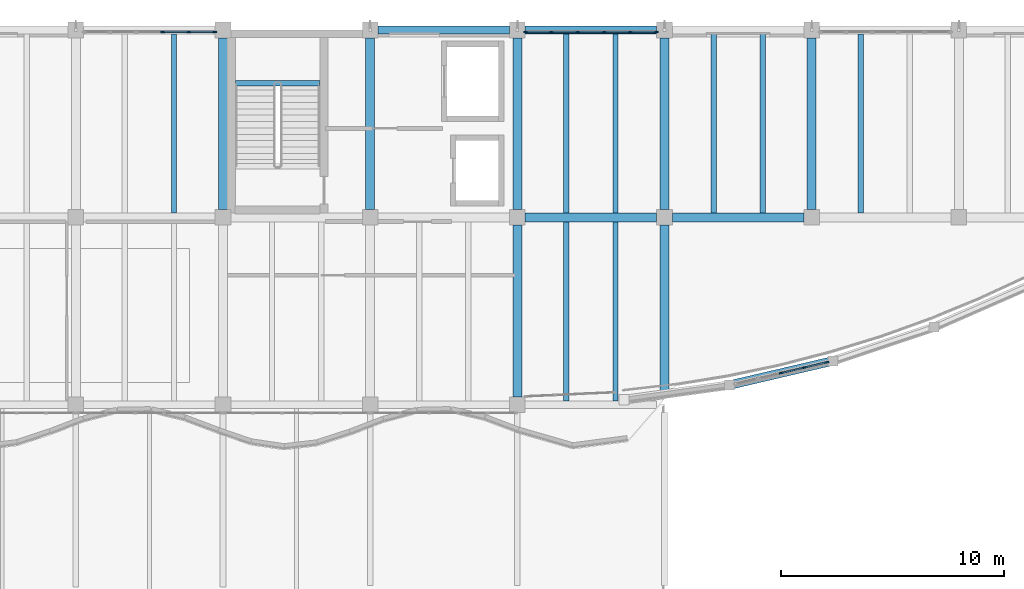
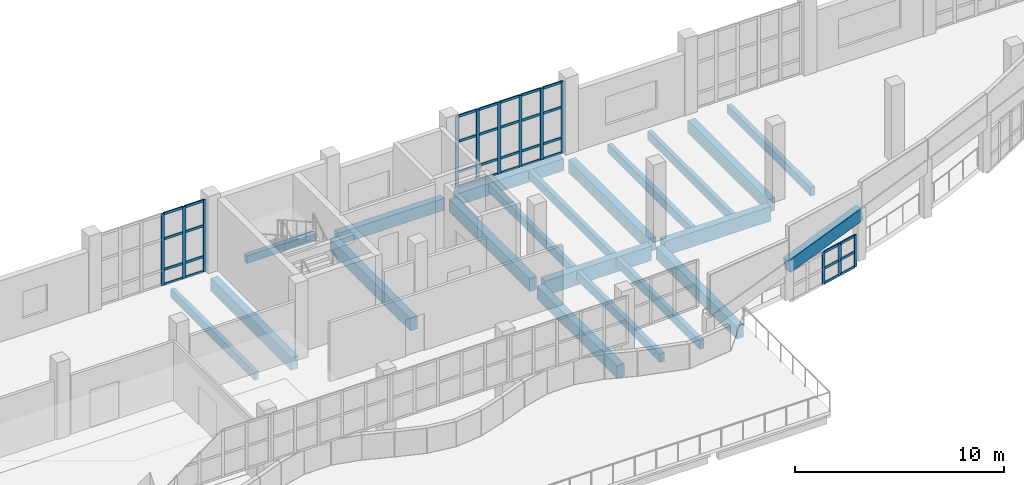
# One storey, part 18 of 83: 46 members, 21 beams, 3 elements without a shape of their own.
"""IFC4 building model written with IfcOpenShell, lengths in metres."""

from ifc_helpers import new_model, si_unit, direction, frame, origin, origin_2d, place, context, subcontext, project, spatial, rectangle, extrude, material, material_profile, profile_set, type_object, element, aggregate, save


model = new_model("IFC4")

# Units and contexts
model_context = context("Model", 3, precision=1e-05, world=origin(), true_north=direction((0.0, 1.0)))
body_context = subcontext(model_context, "Body", "Model", "MODEL_VIEW")
ifc_project = project(units=[si_unit("LENGTHUNIT", "METRE"), si_unit("AREAUNIT", "SQUARE_METRE"), si_unit("VOLUMEUNIT", "CUBIC_METRE"), si_unit("PLANEANGLEUNIT", "RADIAN"), si_unit("MASSUNIT", "GRAM", prefix="KILO")], contexts=[model_context])

# Site, building, storey
site_placement = place(None, origin())
site = spatial("IfcSite", under=ifc_project, at=site_placement, CompositionType="ELEMENT")
building_placement = place(site_placement, origin())
building = spatial("IfcBuilding", under=site, at=building_placement, Name="Qaldarim Faculty of Natural and Applied Sciences", CompositionType="ELEMENT")
storey_placement = place(building_placement, frame((0.0, 0.0, 5.39990234375)))
storey = spatial("IfcBuildingStorey", under=building, at=storey_placement, Name="L01", CompositionType="ELEMENT", Elevation=5.39990234375)

# Beams
ifc_material_1 = material(Name="Concrete C40/50", Category="concrete")
ifc_material_profile_1 = material_profile(ifc_material_1, rectangle(XDim=0.239990234375, YDim=0.5, at=origin_2d()), Name="RC-J240x500")
ifc_profile_set_1 = profile_set([ifc_material_profile_1], Name="Concrete C40/50")
beam_type_1 = type_object("IfcBeamType", Name="HeavyJoist-RC240x500", PredefinedType="JOIST", material=ifc_profile_set_1)
beam_1_placement = place(storey_placement, frame((96.800048828125, 109.39990234375, -0.5498046875), z_axis=(0.0, 1.0, 0.0), x_axis=(-1.0, 0.0, 0.0)))
element("IfcBeam", 1, at=beam_1_placement, inside=storey, type_object=beam_type_1, Name="Laboratory joist L00 bay X15Y14-2", PredefinedType="JOIST", context=body_context, shape_type="SweptSolid", body=[
    extrude(rectangle(XDim=0.239990234375, YDim=0.5, at=origin_2d()), origin(), (0.0, 0.0, 1.0), 8.025146484375),
])
for number, where, z_axis, x_axis, name in (
    (2, (114.39990234375, 100.97509765625, -0.5498046875), (0.0, 1.0, 0.0), (-1.0, 0.0, 0.0), "Laboratory joist L00 bay X18Y13-1"),
    (3, (116.60009765625, 100.97509765625, -0.5498046875), (0.0, 1.0, 0.0), (-1.0, 0.0, 0.0), "Laboratory joist L00 bay X18Y13-2"),
):
    element("IfcBeam", number, at=place(storey_placement, frame(where, z_axis=z_axis, x_axis=x_axis)), inside=storey, type_object=beam_type_1, Name=name, PredefinedType="JOIST", context=body_context, shape_type="SweptSolid", body=[
        extrude(rectangle(XDim=0.239990234375, YDim=0.5, at=origin_2d()), origin(), (0.0, 0.0, 1.0), 8.02490234375),
    ])
for number, where, z_axis, x_axis, name in (
    (4, (114.39990234375, 109.39990234375, -0.5498046875), (0.0, 1.0, 0.0), (-1.0, 0.0, 0.0), "Laboratory joist L00 bay X18Y14-1"),
    (5, (116.60009765625, 109.39990234375, -0.5498046875), (0.0, 1.0, 0.0), (-1.0, 0.0, 0.0), "Laboratory joist L00 bay X18Y14-2"),
    (6, (121.0, 109.39990234375, -0.5498046875), (0.0, 1.0, 0.0), (-1.0, 0.0, 0.0), "Laboratory joist L00 bay X19Y14-1"),
    (7, (123.199951171875, 109.39990234375, -0.5498046875), (0.0, 1.0, 0.0), (-1.0, 0.0, 0.0), "Laboratory joist L00 bay X19Y14-2"),
    (8, (127.60009765625, 109.39990234375, -0.5498046875), (0.0, 1.0, 0.0), (-1.0, 0.0, 0.0), "Laboratory joist L00 bay X20Y14-1"),
):
    element("IfcBeam", number, at=place(storey_placement, frame(where, z_axis=z_axis, x_axis=x_axis)), inside=storey, type_object=beam_type_1, Name=name, PredefinedType="JOIST", context=body_context, shape_type="SweptSolid", body=[
        extrude(rectangle(XDim=0.239990234375, YDim=0.5, at=origin_2d()), origin(), (0.0, 0.0, 1.0), 8.025146484375),
    ])
ifc_material_2 = material(Name="Concrete C50/60", Category="concrete")
ifc_material_profile_2 = material_profile(ifc_material_2, rectangle(XDim=0.39990234375, YDim=0.75, at=origin_2d()), Name="RC-B400x750")
ifc_profile_set_2 = profile_set([ifc_material_profile_2], Name="Concrete C50/60")
beam_type_2 = type_object("IfcBeamType", Name="LabGirder-RC400x750", PredefinedType="BEAM", material=ifc_profile_set_2)
beam_2_placement = place(storey_placement, frame((121.705078125, 101.675048828125, 1.885009765625), z_axis=(0.960643171968, 0.224907490411, 0.163037777547), x_axis=(-0.227957602563, 0.973671059154, 0.0)))
element("IfcBeam", 9, at=beam_2_placement, inside=storey, type_object=beam_type_2, Name="Arched entrance RC portal beam 04-06", PredefinedType="BEAM", context=body_context, shape_type="SweptSolid", body=[
    extrude(rectangle(XDim=0.39990234375, YDim=0.75, at=origin_2d()), origin(), (0.0, 0.0, 1.0), 4.845703125),
])
for number, where, z_axis, x_axis, name in (
    (10, (99.0, 109.550048828125, -0.6748046875), (0.0, 1.0, 0.0), (-1.0, 0.0, 0.0), "Beam RC-B400x750 L00 X16/Y14-Y15"),
    (11, (105.60009765625, 109.550048828125, -0.6748046875), (0.0, 1.0, 0.0), (-1.0, 0.0, 0.0), "Beam RC-B400x750 L00 X17/Y14-Y15"),
):
    element("IfcBeam", number, at=place(storey_placement, frame(where, z_axis=z_axis, x_axis=x_axis)), inside=storey, type_object=beam_type_2, Name=name, PredefinedType="BEAM", context=body_context, shape_type="SweptSolid", body=[
        extrude(rectangle(XDim=0.39990234375, YDim=0.75, at=origin_2d()), origin(), (0.0, 0.0, 1.0), 7.699951171875),
    ])
beam_3_placement = place(storey_placement, frame((112.199951171875, 101.14990234375, -0.6748046875), z_axis=(0.0, 1.0, 0.0), x_axis=(-1.0, 0.0, 0.0)))
element("IfcBeam", 12, at=beam_3_placement, inside=storey, type_object=beam_type_2, Name="Beam RC-B400x750 L00 X18/Y13-Y14", PredefinedType="BEAM", context=body_context, shape_type="SweptSolid", body=[
    extrude(rectangle(XDim=0.39990234375, YDim=0.75, at=origin_2d()), origin(), (0.0, 0.0, 1.0), 7.7001953125),
])
beam_4_placement = place(storey_placement, frame((112.199951171875, 109.550048828125, -0.6748046875), z_axis=(0.0, 1.0, 0.0), x_axis=(-1.0, 0.0, 0.0)))
element("IfcBeam", 13, at=beam_4_placement, inside=storey, type_object=beam_type_2, Name="Beam RC-B400x750 L00 X18/Y14-Y15", PredefinedType="BEAM", context=body_context, shape_type="SweptSolid", body=[
    extrude(rectangle(XDim=0.39990234375, YDim=0.75, at=origin_2d()), origin(), (0.0, 0.0, 1.0), 7.699951171875),
])
beam_5_placement = place(storey_placement, frame((118.800048828125, 101.14990234375, -0.6748046875), z_axis=(0.0, 1.0, 0.0), x_axis=(-1.0, 0.0, 0.0)))
element("IfcBeam", 14, at=beam_5_placement, inside=storey, type_object=beam_type_2, Name="Beam RC-B400x750 L00 X19/Y13-Y14", PredefinedType="BEAM", context=body_context, shape_type="SweptSolid", body=[
    extrude(rectangle(XDim=0.39990234375, YDim=0.75, at=origin_2d()), origin(), (0.0, 0.0, 1.0), 7.7001953125),
])
for number, where, z_axis, x_axis, name in (
    (15, (118.800048828125, 109.550048828125, -0.6748046875), (0.0, 1.0, 0.0), (-1.0, 0.0, 0.0), "Beam RC-B400x750 L00 X19/Y14-Y15"),
    (16, (125.39990234375, 109.550048828125, -0.6748046875), (0.0, 1.0, 0.0), (-1.0, 0.0, 0.0), "Beam RC-B400x750 L00 X20/Y14-Y15"),
):
    element("IfcBeam", number, at=place(storey_placement, frame(where, z_axis=z_axis, x_axis=x_axis)), inside=storey, type_object=beam_type_2, Name=name, PredefinedType="BEAM", context=body_context, shape_type="SweptSolid", body=[
        extrude(rectangle(XDim=0.39990234375, YDim=0.75, at=origin_2d()), origin(), (0.0, 0.0, 1.0), 7.699951171875),
    ])
ifc_material_profile_3 = material_profile(ifc_material_1, rectangle(XDim=0.25, YDim=0.449951171875, at=origin_2d()), Name="RC-LN250x450")
ifc_profile_set_3 = profile_set([ifc_material_profile_3], Name="Concrete C40/50")
beam_type_3 = type_object("IfcBeamType", Name="LandingSupportBeam-RC250x450", PredefinedType="BEAM", material=ifc_profile_set_3)
beam_6_placement = place(storey_placement, frame((99.550048828125, 115.205078125, 1.815185546875), z_axis=(1.0, 0.0, 0.0), x_axis=(0.0, 1.0, 0.0)))
element("IfcBeam", 17, at=beam_6_placement, inside=storey, type_object=beam_type_3, Name="Stair landing support beam ST-B1 L01", PredefinedType="BEAM", context=body_context, shape_type="SweptSolid", body=[
    extrude(rectangle(XDim=0.25, YDim=0.449951171875, at=origin_2d()), origin(), (0.0, 0.0, 1.0), 3.800048828125),
])

# Curtain wall, members
ifc_material_3 = material(Name="Anodised aluminium AW-6063", Category="aluminium")
curtain_wall_type = type_object("IfcCurtainWallType", Name="CurtainWallSystem-M1200", PredefinedType="USERDEFINED", material=ifc_material_3)
curtain_wall_1_placement = place(storey_placement, origin())
curtain_wall_1 = element("IfcCurtainWall", 18, at=curtain_wall_1_placement, inside=storey, type_object=curtain_wall_type, Name="Curtain wall CW-L01-N-X15Y14", ObjectType="STICK CURTAIN WALL", PredefinedType="USERDEFINED")
ifc_material_profile_4 = material_profile(ifc_material_3, rectangle(XDim=0.070068359375, YDim=0.179931640625, at=origin_2d()), Name="ALU-M70x180")
ifc_profile_set_4 = profile_set([ifc_material_profile_4], Name="Anodised aluminium AW-6063")
member_type_1 = type_object("IfcMemberType", Name="Mullion-ALU70x180", PredefinedType="MULLION", material=ifc_profile_set_4)
member_1_placement = place(storey_placement, frame((98.6201171875, 117.52001953125, 0.0), z_axis=(0.0, 0.0, 1.0), x_axis=(0.0, -1.0, 0.0)))
member_1 = element("IfcMember", 19, at=member_1_placement, type_object=member_type_1, Name="Mullion 1 of CW-L01-N-X15Y14", PredefinedType="MULLION", context=body_context, shape_type="SweptSolid", body=[
    extrude(rectangle(XDim=0.070068359375, YDim=0.179931640625, at=origin_2d()), origin(), (0.0, 0.0, 1.0), 4.2001953125),
])
member_2_placement = place(storey_placement, frame((97.472900390625, 117.52001953125, 0.0), z_axis=(0.0, 0.0, 1.0), x_axis=(0.0, -1.0, 0.0)))
member_2 = element("IfcMember", 20, at=member_2_placement, type_object=member_type_1, Name="Mullion 2 of CW-L01-N-X15Y14", PredefinedType="MULLION", context=body_context, shape_type="SweptSolid", body=[
    extrude(rectangle(XDim=0.070068359375, YDim=0.179931640625, at=origin_2d()), origin(), (0.0, 0.0, 1.0), 4.2001953125),
])
member_3_placement = place(storey_placement, frame((96.291015625, 117.52001953125, 0.0), z_axis=(0.0, 0.0, 1.0), x_axis=(0.0, -1.0, 0.0)))
member_3 = element("IfcMember", 21, at=member_3_placement, type_object=member_type_1, Name="Mullion 3 of CW-L01-N-X15Y14", PredefinedType="MULLION", context=body_context, shape_type="SweptSolid", body=[
    extrude(rectangle(XDim=0.070068359375, YDim=0.179931640625, at=origin_2d()), origin(), (0.0, 0.0, 1.0), 4.2001953125),
])

curtain_wall_2_placement = place(storey_placement, origin())
curtain_wall_2 = element("IfcCurtainWall", 22, at=curtain_wall_2_placement, inside=storey, type_object=curtain_wall_type, Name="Curtain wall CW-L01-N-X18Y14", ObjectType="STICK CURTAIN WALL", PredefinedType="USERDEFINED")
member_4_placement = place(storey_placement, frame((118.419921875, 117.52001953125, 0.0), z_axis=(0.0, 0.0, 1.0), x_axis=(0.0, -1.0, 0.0)))
member_4 = element("IfcMember", 23, at=member_4_placement, type_object=member_type_1, Name="Mullion 1 of CW-L01-N-X18Y14", PredefinedType="MULLION", context=body_context, shape_type="SweptSolid", body=[
    extrude(rectangle(XDim=0.070068359375, YDim=0.179931640625, at=origin_2d()), origin(), (0.0, 0.0, 1.0), 4.2001953125),
])
member_5_placement = place(storey_placement, frame((117.27294921875, 117.52001953125, 0.0), z_axis=(0.0, 0.0, 1.0), x_axis=(0.0, -1.0, 0.0)))
member_5 = element("IfcMember", 24, at=member_5_placement, type_object=member_type_1, Name="Mullion 2 of CW-L01-N-X18Y14", PredefinedType="MULLION", context=body_context, shape_type="SweptSolid", body=[
    extrude(rectangle(XDim=0.070068359375, YDim=0.179931640625, at=origin_2d()), origin(), (0.0, 0.0, 1.0), 4.2001953125),
])
member_6_placement = place(storey_placement, frame((116.091064453125, 117.52001953125, 0.0), z_axis=(0.0, 0.0, 1.0), x_axis=(0.0, -1.0, 0.0)))
member_6 = element("IfcMember", 25, at=member_6_placement, type_object=member_type_1, Name="Mullion 3 of CW-L01-N-X18Y14", PredefinedType="MULLION", context=body_context, shape_type="SweptSolid", body=[
    extrude(rectangle(XDim=0.070068359375, YDim=0.179931640625, at=origin_2d()), origin(), (0.0, 0.0, 1.0), 4.2001953125),
])
member_7_placement = place(storey_placement, frame((114.908935546875, 117.52001953125, 0.0), z_axis=(0.0, 0.0, 1.0), x_axis=(0.0, -1.0, 0.0)))
member_7 = element("IfcMember", 26, at=member_7_placement, type_object=member_type_1, Name="Mullion 4 of CW-L01-N-X18Y14", PredefinedType="MULLION", context=body_context, shape_type="SweptSolid", body=[
    extrude(rectangle(XDim=0.070068359375, YDim=0.179931640625, at=origin_2d()), origin(), (0.0, 0.0, 1.0), 4.2001953125),
])
member_8_placement = place(storey_placement, frame((113.72705078125, 117.52001953125, 0.0), z_axis=(0.0, 0.0, 1.0), x_axis=(0.0, -1.0, 0.0)))
member_8 = element("IfcMember", 27, at=member_8_placement, type_object=member_type_1, Name="Mullion 5 of CW-L01-N-X18Y14", PredefinedType="MULLION", context=body_context, shape_type="SweptSolid", body=[
    extrude(rectangle(XDim=0.070068359375, YDim=0.179931640625, at=origin_2d()), origin(), (0.0, 0.0, 1.0), 4.2001953125),
])
member_9_placement = place(storey_placement, frame((112.580078125, 117.52001953125, 0.0), z_axis=(0.0, 0.0, 1.0), x_axis=(0.0, -1.0, 0.0)))
member_9 = element("IfcMember", 28, at=member_9_placement, type_object=member_type_1, Name="Mullion 6 of CW-L01-N-X18Y14", PredefinedType="MULLION", context=body_context, shape_type="SweptSolid", body=[
    extrude(rectangle(XDim=0.070068359375, YDim=0.179931640625, at=origin_2d()), origin(), (0.0, 0.0, 1.0), 4.2001953125),
])

curtain_wall_3_placement = place(storey_placement, origin())
curtain_wall_3 = element("IfcCurtainWall", 29, at=curtain_wall_3_placement, inside=storey, type_object=curtain_wall_type, Name="Curtain wall CW-PORT-TOP-2", ObjectType="STICK CURTAIN WALL", PredefinedType="USERDEFINED")
member_10_placement = place(storey_placement, frame((124.032470703125, 102.219970703125, -0.35986328125), z_axis=(0.0, 0.0, 1.0), x_axis=(-0.229047490039, 0.973415249165, 0.0)))
member_10 = element("IfcMember", 30, at=member_10_placement, type_object=member_type_1, Name="Mullion 3 of CW-PORT-TOP-2", PredefinedType="MULLION", context=body_context, shape_type="SweptSolid", body=[
    extrude(rectangle(XDim=0.070068359375, YDim=0.179931640625, at=origin_2d()), origin(), (0.0, 0.0, 1.0), 1.869873046875),
])
member_11_placement = place(storey_placement, frame((125.07373046875, 102.465087890625, -0.35986328125), z_axis=(0.0, 0.0, 1.0), x_axis=(-0.229047490039, 0.973415249165, 0.0)))
member_11 = element("IfcMember", 31, at=member_11_placement, type_object=member_type_1, Name="Mullion 4 of CW-PORT-TOP-2", PredefinedType="MULLION", context=body_context, shape_type="SweptSolid", body=[
    extrude(rectangle(XDim=0.070068359375, YDim=0.179931640625, at=origin_2d()), origin(), (0.0, 0.0, 1.0), 1.869873046875),
])
member_12_placement = place(storey_placement, frame((126.080810546875, 102.701904296875, -0.35986328125), z_axis=(0.0, 0.0, 1.0), x_axis=(-0.229047490039, 0.973415249165, 0.0)))
member_12 = element("IfcMember", 32, at=member_12_placement, type_object=member_type_1, Name="Mullion 5 of CW-PORT-TOP-2", PredefinedType="MULLION", context=body_context, shape_type="SweptSolid", body=[
    extrude(rectangle(XDim=0.070068359375, YDim=0.179931640625, at=origin_2d()), origin(), (0.0, 0.0, 1.0), 1.869873046875),
])

# Beams
ifc_material_profile_5 = material_profile(ifc_material_2, rectangle(XDim=0.39990234375, YDim=0.85009765625, at=origin_2d()), Name="RC-B400x850")
ifc_profile_set_5 = profile_set([ifc_material_profile_5], Name="Concrete C50/60")
beam_type_4 = type_object("IfcBeamType", Name="PodiumGirder-RC400x850", PredefinedType="BEAM", material=ifc_profile_set_5)
beam_7_placement = place(storey_placement, frame((112.550048828125, 109.199951171875, -0.724853515625), z_axis=(1.0, 0.0, 0.0), x_axis=(0.0, 1.0, 0.0)))
element("IfcBeam", 33, at=beam_7_placement, inside=storey, type_object=beam_type_4, Name="Beam RC-B400x850 L00 X18-X19/Y14", PredefinedType="BEAM", context=body_context, shape_type="SweptSolid", body=[
    extrude(rectangle(XDim=0.39990234375, YDim=0.85009765625, at=origin_2d()), origin(), (0.0, 0.0, 1.0), 5.89990234375),
])
beam_8_placement = place(storey_placement, frame((119.14990234375, 109.199951171875, -0.724853515625), z_axis=(1.0, 0.0, 0.0), x_axis=(0.0, 1.0, 0.0)))
element("IfcBeam", 34, at=beam_8_placement, inside=storey, type_object=beam_type_4, Name="Beam RC-B400x850 L00 X19-X20/Y14", PredefinedType="BEAM", context=body_context, shape_type="SweptSolid", body=[
    extrude(rectangle(XDim=0.39990234375, YDim=0.85009765625, at=origin_2d()), origin(), (0.0, 0.0, 1.0), 5.900146484375),
])
ifc_material_profile_6 = material_profile(ifc_material_1, rectangle(XDim=0.35009765625, YDim=0.699951171875, at=origin_2d()), Name="RC-B350x700")
ifc_profile_set_6 = profile_set([ifc_material_profile_6], Name="Concrete C40/50")
beam_type_5 = type_object("IfcBeamType", Name="PrimaryGirder-RC350x700", PredefinedType="BEAM", material=ifc_profile_set_6)
beam_9_placement = place(storey_placement, frame((105.949951171875, 117.60009765625, -0.64990234375), z_axis=(1.0, 0.0, 0.0), x_axis=(0.0, 1.0, 0.0)))
element("IfcBeam", 35, at=beam_9_placement, inside=storey, type_object=beam_type_5, Name="Beam RC-B350x700 L00 X17-X18/Y15", PredefinedType="BEAM", context=body_context, shape_type="SweptSolid", body=[
    extrude(rectangle(XDim=0.35009765625, YDim=0.699951171875, at=origin_2d()), origin(), (0.0, 0.0, 1.0), 5.900146484375),
])
beam_10_placement = place(storey_placement, frame((112.550048828125, 117.60009765625, -0.64990234375), z_axis=(1.0, 0.0, 0.0), x_axis=(0.0, 1.0, 0.0)))
element("IfcBeam", 36, at=beam_10_placement, inside=storey, type_object=beam_type_5, Name="Beam RC-B350x700 L00 X18-X19/Y15", PredefinedType="BEAM", context=body_context, shape_type="SweptSolid", body=[
    extrude(rectangle(XDim=0.35009765625, YDim=0.699951171875, at=origin_2d()), origin(), (0.0, 0.0, 1.0), 5.89990234375),
])

# Member
ifc_material_profile_7 = material_profile(ifc_material_3, rectangle(XDim=0.070068359375, YDim=0.139892578125, at=origin_2d()), Name="ALU-T70x140")
ifc_profile_set_7 = profile_set([ifc_material_profile_7], Name="Anodised aluminium AW-6063")
member_type_2 = type_object("IfcMemberType", Name="Transom-ALU70x140", PredefinedType="USERDEFINED", material=ifc_profile_set_7)
member_13_placement = place(storey_placement, frame((98.5849609375, 117.52001953125, 0.03515625), z_axis=(-1.0, 0.0, 0.0), x_axis=(0.0, -1.0, 0.0)))
member_13 = element("IfcMember", 37, at=member_13_placement, type_object=member_type_2, Name="Transom 1-1 of CW-L01-N-X15Y14", ObjectType="TRANSOM", PredefinedType="USERDEFINED", context=body_context, shape_type="SweptSolid", body=[
    extrude(rectangle(XDim=0.070068359375, YDim=0.139892578125, at=origin_2d()), origin(), (0.0, 0.0, 1.0), 1.076904296875),
])

member_14_placement = place(storey_placement, frame((98.5849609375, 117.52001953125, 0.900146484375), z_axis=(-1.0, 0.0, 0.0), x_axis=(0.0, -1.0, 0.0)))
member_14 = element("IfcMember", 38, at=member_14_placement, type_object=member_type_2, Name="Transom 1-2 of CW-L01-N-X15Y14", ObjectType="TRANSOM", PredefinedType="USERDEFINED", context=body_context, shape_type="SweptSolid", body=[
    extrude(rectangle(XDim=0.070068359375, YDim=0.139892578125, at=origin_2d()), origin(), (0.0, 0.0, 1.0), 1.076904296875),
])

member_15_placement = place(storey_placement, frame((98.5849609375, 117.52001953125, 2.7001953125), z_axis=(-1.0, 0.0, 0.0), x_axis=(0.0, -1.0, 0.0)))
member_15 = element("IfcMember", 39, at=member_15_placement, type_object=member_type_2, Name="Transom 1-3 of CW-L01-N-X15Y14", ObjectType="TRANSOM", PredefinedType="USERDEFINED", context=body_context, shape_type="SweptSolid", body=[
    extrude(rectangle(XDim=0.070068359375, YDim=0.139892578125, at=origin_2d()), origin(), (0.0, 0.0, 1.0), 1.076904296875),
])

member_16_placement = place(storey_placement, frame((98.5849609375, 117.52001953125, 4.1650390625), z_axis=(-1.0, 0.0, 0.0), x_axis=(0.0, -1.0, 0.0)))
member_16 = element("IfcMember", 40, at=member_16_placement, type_object=member_type_2, Name="Transom 1-4 of CW-L01-N-X15Y14", ObjectType="TRANSOM", PredefinedType="USERDEFINED", context=body_context, shape_type="SweptSolid", body=[
    extrude(rectangle(XDim=0.070068359375, YDim=0.139892578125, at=origin_2d()), origin(), (0.0, 0.0, 1.0), 1.076904296875),
])

member_17_placement = place(storey_placement, frame((97.43798828125, 117.52001953125, 0.03515625), z_axis=(-1.0, 0.0, 0.0), x_axis=(0.0, -1.0, 0.0)))
member_17 = element("IfcMember", 41, at=member_17_placement, type_object=member_type_2, Name="Transom 2-1 of CW-L01-N-X15Y14", ObjectType="TRANSOM", PredefinedType="USERDEFINED", context=body_context, shape_type="SweptSolid", body=[
    extrude(rectangle(XDim=0.070068359375, YDim=0.139892578125, at=origin_2d()), origin(), (0.0, 0.0, 1.0), 1.112060546875),
])

member_18_placement = place(storey_placement, frame((97.43798828125, 117.52001953125, 0.900146484375), z_axis=(-1.0, 0.0, 0.0), x_axis=(0.0, -1.0, 0.0)))
member_18 = element("IfcMember", 42, at=member_18_placement, type_object=member_type_2, Name="Transom 2-2 of CW-L01-N-X15Y14", ObjectType="TRANSOM", PredefinedType="USERDEFINED", context=body_context, shape_type="SweptSolid", body=[
    extrude(rectangle(XDim=0.070068359375, YDim=0.139892578125, at=origin_2d()), origin(), (0.0, 0.0, 1.0), 1.112060546875),
])

member_19_placement = place(storey_placement, frame((97.43798828125, 117.52001953125, 2.7001953125), z_axis=(-1.0, 0.0, 0.0), x_axis=(0.0, -1.0, 0.0)))
member_19 = element("IfcMember", 43, at=member_19_placement, type_object=member_type_2, Name="Transom 2-3 of CW-L01-N-X15Y14", ObjectType="TRANSOM", PredefinedType="USERDEFINED", context=body_context, shape_type="SweptSolid", body=[
    extrude(rectangle(XDim=0.070068359375, YDim=0.139892578125, at=origin_2d()), origin(), (0.0, 0.0, 1.0), 1.112060546875),
])

member_20_placement = place(storey_placement, frame((97.43798828125, 117.52001953125, 4.1650390625), z_axis=(-1.0, 0.0, 0.0), x_axis=(0.0, -1.0, 0.0)))
member_20 = element("IfcMember", 44, at=member_20_placement, type_object=member_type_2, Name="Transom 2-4 of CW-L01-N-X15Y14", ObjectType="TRANSOM", PredefinedType="USERDEFINED", context=body_context, shape_type="SweptSolid", body=[
    extrude(rectangle(XDim=0.070068359375, YDim=0.139892578125, at=origin_2d()), origin(), (0.0, 0.0, 1.0), 1.112060546875),
])

aggregate(curtain_wall_1, [member_1, member_2, member_3, member_13, member_14, member_15, member_16, member_17, member_18, member_19, member_20])

member_21_placement = place(storey_placement, frame((118.385009765625, 117.52001953125, 0.03515625), z_axis=(-1.0, 0.0, 0.0), x_axis=(0.0, -1.0, 0.0)))
member_21 = element("IfcMember", 45, at=member_21_placement, type_object=member_type_2, Name="Transom 1-1 of CW-L01-N-X18Y14", ObjectType="TRANSOM", PredefinedType="USERDEFINED", context=body_context, shape_type="SweptSolid", body=[
    extrude(rectangle(XDim=0.070068359375, YDim=0.139892578125, at=origin_2d()), origin(), (0.0, 0.0, 1.0), 1.076904296875),
])

member_22_placement = place(storey_placement, frame((118.385009765625, 117.52001953125, 0.900146484375), z_axis=(-1.0, 0.0, 0.0), x_axis=(0.0, -1.0, 0.0)))
member_22 = element("IfcMember", 46, at=member_22_placement, type_object=member_type_2, Name="Transom 1-2 of CW-L01-N-X18Y14", ObjectType="TRANSOM", PredefinedType="USERDEFINED", context=body_context, shape_type="SweptSolid", body=[
    extrude(rectangle(XDim=0.070068359375, YDim=0.139892578125, at=origin_2d()), origin(), (0.0, 0.0, 1.0), 1.076904296875),
])

member_23_placement = place(storey_placement, frame((118.385009765625, 117.52001953125, 2.7001953125), z_axis=(-1.0, 0.0, 0.0), x_axis=(0.0, -1.0, 0.0)))
member_23 = element("IfcMember", 47, at=member_23_placement, type_object=member_type_2, Name="Transom 1-3 of CW-L01-N-X18Y14", ObjectType="TRANSOM", PredefinedType="USERDEFINED", context=body_context, shape_type="SweptSolid", body=[
    extrude(rectangle(XDim=0.070068359375, YDim=0.139892578125, at=origin_2d()), origin(), (0.0, 0.0, 1.0), 1.076904296875),
])

member_24_placement = place(storey_placement, frame((118.385009765625, 117.52001953125, 4.1650390625), z_axis=(-1.0, 0.0, 0.0), x_axis=(0.0, -1.0, 0.0)))
member_24 = element("IfcMember", 48, at=member_24_placement, type_object=member_type_2, Name="Transom 1-4 of CW-L01-N-X18Y14", ObjectType="TRANSOM", PredefinedType="USERDEFINED", context=body_context, shape_type="SweptSolid", body=[
    extrude(rectangle(XDim=0.070068359375, YDim=0.139892578125, at=origin_2d()), origin(), (0.0, 0.0, 1.0), 1.076904296875),
])

member_25_placement = place(storey_placement, frame((117.238037109375, 117.52001953125, 0.03515625), z_axis=(-1.0, 0.0, 0.0), x_axis=(0.0, -1.0, 0.0)))
member_25 = element("IfcMember", 49, at=member_25_placement, type_object=member_type_2, Name="Transom 2-1 of CW-L01-N-X18Y14", ObjectType="TRANSOM", PredefinedType="USERDEFINED", context=body_context, shape_type="SweptSolid", body=[
    extrude(rectangle(XDim=0.070068359375, YDim=0.139892578125, at=origin_2d()), origin(), (0.0, 0.0, 1.0), 1.112060546875),
])

member_26_placement = place(storey_placement, frame((117.238037109375, 117.52001953125, 0.900146484375), z_axis=(-1.0, 0.0, 0.0), x_axis=(0.0, -1.0, 0.0)))
member_26 = element("IfcMember", 50, at=member_26_placement, type_object=member_type_2, Name="Transom 2-2 of CW-L01-N-X18Y14", ObjectType="TRANSOM", PredefinedType="USERDEFINED", context=body_context, shape_type="SweptSolid", body=[
    extrude(rectangle(XDim=0.070068359375, YDim=0.139892578125, at=origin_2d()), origin(), (0.0, 0.0, 1.0), 1.112060546875),
])

member_27_placement = place(storey_placement, frame((117.238037109375, 117.52001953125, 2.7001953125), z_axis=(-1.0, 0.0, 0.0), x_axis=(0.0, -1.0, 0.0)))
member_27 = element("IfcMember", 51, at=member_27_placement, type_object=member_type_2, Name="Transom 2-3 of CW-L01-N-X18Y14", ObjectType="TRANSOM", PredefinedType="USERDEFINED", context=body_context, shape_type="SweptSolid", body=[
    extrude(rectangle(XDim=0.070068359375, YDim=0.139892578125, at=origin_2d()), origin(), (0.0, 0.0, 1.0), 1.112060546875),
])

member_28_placement = place(storey_placement, frame((117.238037109375, 117.52001953125, 4.1650390625), z_axis=(-1.0, 0.0, 0.0), x_axis=(0.0, -1.0, 0.0)))
member_28 = element("IfcMember", 52, at=member_28_placement, type_object=member_type_2, Name="Transom 2-4 of CW-L01-N-X18Y14", ObjectType="TRANSOM", PredefinedType="USERDEFINED", context=body_context, shape_type="SweptSolid", body=[
    extrude(rectangle(XDim=0.070068359375, YDim=0.139892578125, at=origin_2d()), origin(), (0.0, 0.0, 1.0), 1.112060546875),
])

member_29_placement = place(storey_placement, frame((116.055908203125, 117.52001953125, 0.03515625), z_axis=(-1.0, 0.0, 0.0), x_axis=(0.0, -1.0, 0.0)))
member_29 = element("IfcMember", 53, at=member_29_placement, type_object=member_type_2, Name="Transom 3-1 of CW-L01-N-X18Y14", ObjectType="TRANSOM", PredefinedType="USERDEFINED", context=body_context, shape_type="SweptSolid", body=[
    extrude(rectangle(XDim=0.070068359375, YDim=0.139892578125, at=origin_2d()), origin(), (0.0, 0.0, 1.0), 1.11181640625),
])

member_30_placement = place(storey_placement, frame((116.055908203125, 117.52001953125, 0.900146484375), z_axis=(-1.0, 0.0, 0.0), x_axis=(0.0, -1.0, 0.0)))
member_30 = element("IfcMember", 54, at=member_30_placement, type_object=member_type_2, Name="Transom 3-2 of CW-L01-N-X18Y14", ObjectType="TRANSOM", PredefinedType="USERDEFINED", context=body_context, shape_type="SweptSolid", body=[
    extrude(rectangle(XDim=0.070068359375, YDim=0.139892578125, at=origin_2d()), origin(), (0.0, 0.0, 1.0), 1.11181640625),
])

member_31_placement = place(storey_placement, frame((116.055908203125, 117.52001953125, 2.7001953125), z_axis=(-1.0, 0.0, 0.0), x_axis=(0.0, -1.0, 0.0)))
member_31 = element("IfcMember", 55, at=member_31_placement, type_object=member_type_2, Name="Transom 3-3 of CW-L01-N-X18Y14", ObjectType="TRANSOM", PredefinedType="USERDEFINED", context=body_context, shape_type="SweptSolid", body=[
    extrude(rectangle(XDim=0.070068359375, YDim=0.139892578125, at=origin_2d()), origin(), (0.0, 0.0, 1.0), 1.11181640625),
])

member_32_placement = place(storey_placement, frame((116.055908203125, 117.52001953125, 4.1650390625), z_axis=(-1.0, 0.0, 0.0), x_axis=(0.0, -1.0, 0.0)))
member_32 = element("IfcMember", 56, at=member_32_placement, type_object=member_type_2, Name="Transom 3-4 of CW-L01-N-X18Y14", ObjectType="TRANSOM", PredefinedType="USERDEFINED", context=body_context, shape_type="SweptSolid", body=[
    extrude(rectangle(XDim=0.070068359375, YDim=0.139892578125, at=origin_2d()), origin(), (0.0, 0.0, 1.0), 1.11181640625),
])

member_33_placement = place(storey_placement, frame((114.8740234375, 117.52001953125, 0.03515625), z_axis=(-1.0, 0.0, 0.0), x_axis=(0.0, -1.0, 0.0)))
member_33 = element("IfcMember", 57, at=member_33_placement, type_object=member_type_2, Name="Transom 4-1 of CW-L01-N-X18Y14", ObjectType="TRANSOM", PredefinedType="USERDEFINED", context=body_context, shape_type="SweptSolid", body=[
    extrude(rectangle(XDim=0.070068359375, YDim=0.139892578125, at=origin_2d()), origin(), (0.0, 0.0, 1.0), 1.112060546875),
])

member_34_placement = place(storey_placement, frame((114.8740234375, 117.52001953125, 0.900146484375), z_axis=(-1.0, 0.0, 0.0), x_axis=(0.0, -1.0, 0.0)))
member_34 = element("IfcMember", 58, at=member_34_placement, type_object=member_type_2, Name="Transom 4-2 of CW-L01-N-X18Y14", ObjectType="TRANSOM", PredefinedType="USERDEFINED", context=body_context, shape_type="SweptSolid", body=[
    extrude(rectangle(XDim=0.070068359375, YDim=0.139892578125, at=origin_2d()), origin(), (0.0, 0.0, 1.0), 1.112060546875),
])

member_35_placement = place(storey_placement, frame((114.8740234375, 117.52001953125, 2.7001953125), z_axis=(-1.0, 0.0, 0.0), x_axis=(0.0, -1.0, 0.0)))
member_35 = element("IfcMember", 59, at=member_35_placement, type_object=member_type_2, Name="Transom 4-3 of CW-L01-N-X18Y14", ObjectType="TRANSOM", PredefinedType="USERDEFINED", context=body_context, shape_type="SweptSolid", body=[
    extrude(rectangle(XDim=0.070068359375, YDim=0.139892578125, at=origin_2d()), origin(), (0.0, 0.0, 1.0), 1.112060546875),
])

member_36_placement = place(storey_placement, frame((114.8740234375, 117.52001953125, 4.1650390625), z_axis=(-1.0, 0.0, 0.0), x_axis=(0.0, -1.0, 0.0)))
member_36 = element("IfcMember", 60, at=member_36_placement, type_object=member_type_2, Name="Transom 4-4 of CW-L01-N-X18Y14", ObjectType="TRANSOM", PredefinedType="USERDEFINED", context=body_context, shape_type="SweptSolid", body=[
    extrude(rectangle(XDim=0.070068359375, YDim=0.139892578125, at=origin_2d()), origin(), (0.0, 0.0, 1.0), 1.112060546875),
])

member_37_placement = place(storey_placement, frame((113.69189453125, 117.52001953125, 0.03515625), z_axis=(-1.0, 0.0, 0.0), x_axis=(0.0, -1.0, 0.0)))
member_37 = element("IfcMember", 61, at=member_37_placement, type_object=member_type_2, Name="Transom 5-1 of CW-L01-N-X18Y14", ObjectType="TRANSOM", PredefinedType="USERDEFINED", context=body_context, shape_type="SweptSolid", body=[
    extrude(rectangle(XDim=0.070068359375, YDim=0.139892578125, at=origin_2d()), origin(), (0.0, 0.0, 1.0), 1.076904296875),
])

member_38_placement = place(storey_placement, frame((113.69189453125, 117.52001953125, 0.900146484375), z_axis=(-1.0, 0.0, 0.0), x_axis=(0.0, -1.0, 0.0)))
member_38 = element("IfcMember", 62, at=member_38_placement, type_object=member_type_2, Name="Transom 5-2 of CW-L01-N-X18Y14", ObjectType="TRANSOM", PredefinedType="USERDEFINED", context=body_context, shape_type="SweptSolid", body=[
    extrude(rectangle(XDim=0.070068359375, YDim=0.139892578125, at=origin_2d()), origin(), (0.0, 0.0, 1.0), 1.076904296875),
])

member_39_placement = place(storey_placement, frame((113.69189453125, 117.52001953125, 2.7001953125), z_axis=(-1.0, 0.0, 0.0), x_axis=(0.0, -1.0, 0.0)))
member_39 = element("IfcMember", 63, at=member_39_placement, type_object=member_type_2, Name="Transom 5-3 of CW-L01-N-X18Y14", ObjectType="TRANSOM", PredefinedType="USERDEFINED", context=body_context, shape_type="SweptSolid", body=[
    extrude(rectangle(XDim=0.070068359375, YDim=0.139892578125, at=origin_2d()), origin(), (0.0, 0.0, 1.0), 1.076904296875),
])

member_40_placement = place(storey_placement, frame((113.69189453125, 117.52001953125, 4.1650390625), z_axis=(-1.0, 0.0, 0.0), x_axis=(0.0, -1.0, 0.0)))
member_40 = element("IfcMember", 64, at=member_40_placement, type_object=member_type_2, Name="Transom 5-4 of CW-L01-N-X18Y14", ObjectType="TRANSOM", PredefinedType="USERDEFINED", context=body_context, shape_type="SweptSolid", body=[
    extrude(rectangle(XDim=0.070068359375, YDim=0.139892578125, at=origin_2d()), origin(), (0.0, 0.0, 1.0), 1.076904296875),
])

aggregate(curtain_wall_2, [member_4, member_5, member_6, member_7, member_8, member_9, member_21, member_22, member_23, member_24, member_25, member_26, member_27, member_28, member_29, member_30, member_31, member_32, member_33, member_34, member_35, member_36, member_37, member_38, member_39, member_40])

member_41_placement = place(storey_placement, frame((124.066650390625, 102.22802734375, -0.324951171875), z_axis=(0.973410762512, 0.229066556758, 0.0), x_axis=(-0.229066556758, 0.973410762512, 0.0)))
member_41 = element("IfcMember", 65, at=member_41_placement, type_object=member_type_2, Name="Transom 3-1 of CW-PORT-TOP-2", ObjectType="TRANSOM", PredefinedType="USERDEFINED", context=body_context, shape_type="SweptSolid", body=[
    extrude(rectangle(XDim=0.070068359375, YDim=0.139892578125, at=origin_2d()), origin(), (0.0, 0.0, 1.0), 0.999755859375),
])

member_42_placement = place(storey_placement, frame((124.066650390625, 102.22802734375, 0.5400390625), z_axis=(0.973410762512, 0.229066556758, 0.0), x_axis=(-0.229066556758, 0.973410762512, 0.0)))
member_42 = element("IfcMember", 66, at=member_42_placement, type_object=member_type_2, Name="Transom 3-2 of CW-PORT-TOP-2", ObjectType="TRANSOM", PredefinedType="USERDEFINED", context=body_context, shape_type="SweptSolid", body=[
    extrude(rectangle(XDim=0.070068359375, YDim=0.139892578125, at=origin_2d()), origin(), (0.0, 0.0, 1.0), 0.999755859375),
])

member_43_placement = place(storey_placement, frame((124.066650390625, 102.22802734375, 1.47509765625), z_axis=(0.973410762512, 0.229066556758, 0.0), x_axis=(-0.229066556758, 0.973410762512, 0.0)))
member_43 = element("IfcMember", 67, at=member_43_placement, type_object=member_type_2, Name="Transom 3-3 of CW-PORT-TOP-2", ObjectType="TRANSOM", PredefinedType="USERDEFINED", context=body_context, shape_type="SweptSolid", body=[
    extrude(rectangle(XDim=0.070068359375, YDim=0.139892578125, at=origin_2d()), origin(), (0.0, 0.0, 1.0), 0.999755859375),
])

member_44_placement = place(storey_placement, frame((125.10791015625, 102.472900390625, -0.324951171875), z_axis=(0.973357391023, 0.229293238759, 0.0), x_axis=(-0.229293238759, 0.973357391023, 0.0)))
member_44 = element("IfcMember", 68, at=member_44_placement, type_object=member_type_2, Name="Transom 4-1 of CW-PORT-TOP-2", ObjectType="TRANSOM", PredefinedType="USERDEFINED", context=body_context, shape_type="SweptSolid", body=[
    extrude(rectangle(XDim=0.070068359375, YDim=0.139892578125, at=origin_2d()), origin(), (0.0, 0.0, 1.0), 0.964599609375),
])

member_45_placement = place(storey_placement, frame((125.10791015625, 102.472900390625, 0.5400390625), z_axis=(0.973357391023, 0.229293238759, 0.0), x_axis=(-0.229293238759, 0.973357391023, 0.0)))
member_45 = element("IfcMember", 69, at=member_45_placement, type_object=member_type_2, Name="Transom 4-2 of CW-PORT-TOP-2", ObjectType="TRANSOM", PredefinedType="USERDEFINED", context=body_context, shape_type="SweptSolid", body=[
    extrude(rectangle(XDim=0.070068359375, YDim=0.139892578125, at=origin_2d()), origin(), (0.0, 0.0, 1.0), 0.964599609375),
])

member_46_placement = place(storey_placement, frame((125.10791015625, 102.472900390625, 1.47509765625), z_axis=(0.973357391023, 0.229293238759, 0.0), x_axis=(-0.229293238759, 0.973357391023, 0.0)))
member_46 = element("IfcMember", 70, at=member_46_placement, type_object=member_type_2, Name="Transom 4-3 of CW-PORT-TOP-2", ObjectType="TRANSOM", PredefinedType="USERDEFINED", context=body_context, shape_type="SweptSolid", body=[
    extrude(rectangle(XDim=0.070068359375, YDim=0.139892578125, at=origin_2d()), origin(), (0.0, 0.0, 1.0), 0.964599609375),
])

aggregate(curtain_wall_3, [member_10, member_11, member_12, member_41, member_42, member_43, member_44, member_45, member_46])

save(model, "model.ifc")
